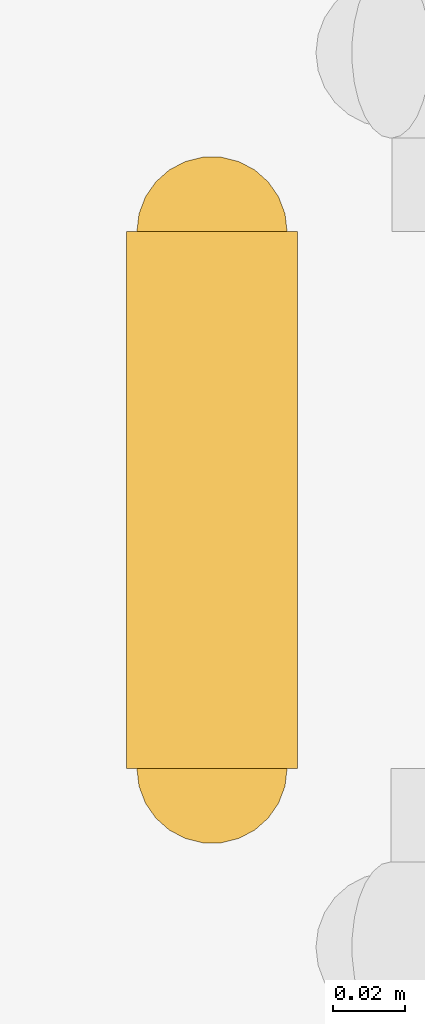
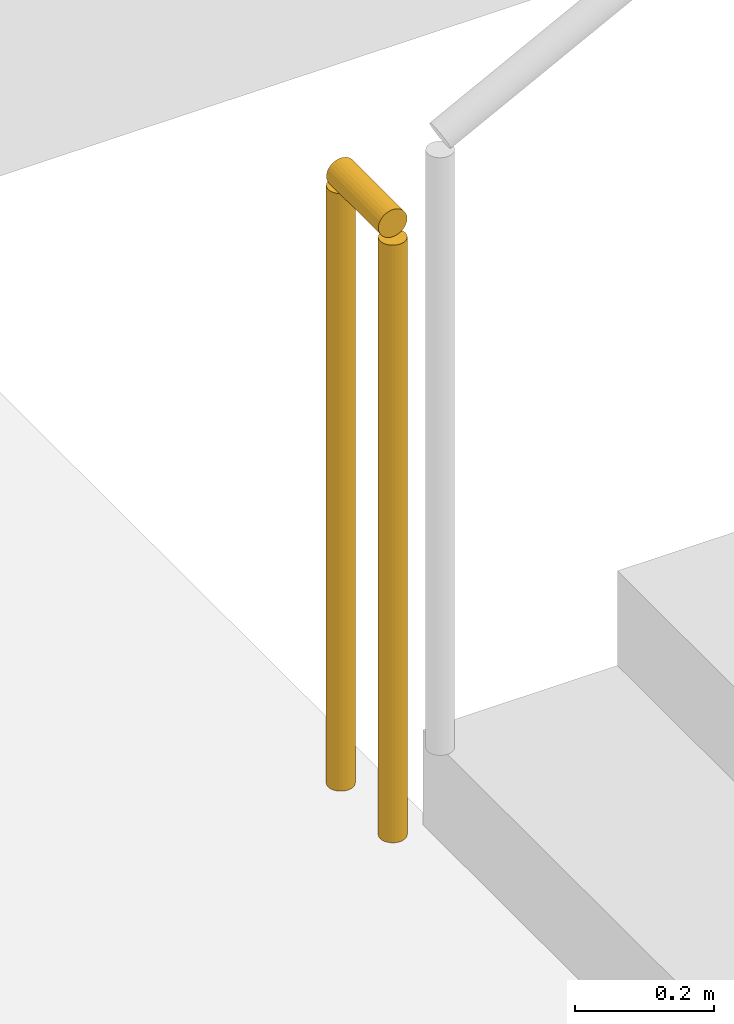
# One storey, part 18 of 24: 1 railing.
"""IFC4 building model written with IfcOpenShell, lengths in metres."""

from ifc_helpers import new_model, si_unit, direction, frame, origin, origin_2d, place, context, subcontext, project, spatial, circle, extrude, material, type_object, element, save


model = new_model("IFC4")

# Units and contexts
model_context = context("Model", 3, precision=1e-05, world=origin(), true_north=direction((0.0, 1.0)))
body_context = subcontext(model_context, "Body", "Model", "MODEL_VIEW")
ifc_project = project(units=[si_unit("LENGTHUNIT", "METRE"), si_unit("AREAUNIT", "SQUARE_METRE"), si_unit("VOLUMEUNIT", "CUBIC_METRE"), si_unit("PLANEANGLEUNIT", "RADIAN"), si_unit("MASSUNIT", "GRAM", prefix="KILO")], contexts=[model_context])

# Site, building, storey
site_placement = place(None, origin())
site = spatial("IfcSite", under=ifc_project, at=site_placement, CompositionType="ELEMENT")
building_placement = place(site_placement, origin())
building = spatial("IfcBuilding", under=site, at=building_placement, Name="Kolvaren Arena Tower", CompositionType="ELEMENT")
storey_placement = place(building_placement, frame((0.0, 0.0, 23.0)))
storey = spatial("IfcBuildingStorey", under=building, at=storey_placement, Name="L04", CompositionType="ELEMENT", Elevation=23.0)

# Railing
ifc_material = material(Name="Painted galvanized steel", Category="steel")
railing_type = type_object("IfcRailingType", Name="GUARD-ST-110", PredefinedType="GUARDRAIL", material=ifc_material)
railing_placement = place(storey_placement, frame((63.14990234375, 15.5, 0.0)))
element("IfcRailing", 1, at=railing_placement, inside=storey, type_object=railing_type, Name="L04 ST-A4 stair guard 4", PredefinedType="GUARDRAIL", context=body_context, shape_type="SweptSolid", body=[
    extrude(circle(Radius=0.02392578125, at=origin_2d()), frame((0.0, 0.0, 1.076171875), z_axis=(0.0, 1.0, 0.0), x_axis=(-1.0, 0.0, 0.0)), (0.0, 0.0, 1.0), 0.14990234375),
    extrude(circle(Radius=0.02099609375, at=origin_2d()), origin(), (0.0, 0.0, 1.0), 1.052001953125),
    extrude(circle(Radius=0.02099609375, at=origin_2d()), frame((0.0, 0.14990234375, 0.0)), (0.0, 0.0, 1.0), 1.052001953125),
])

save(model, "model.ifc")
